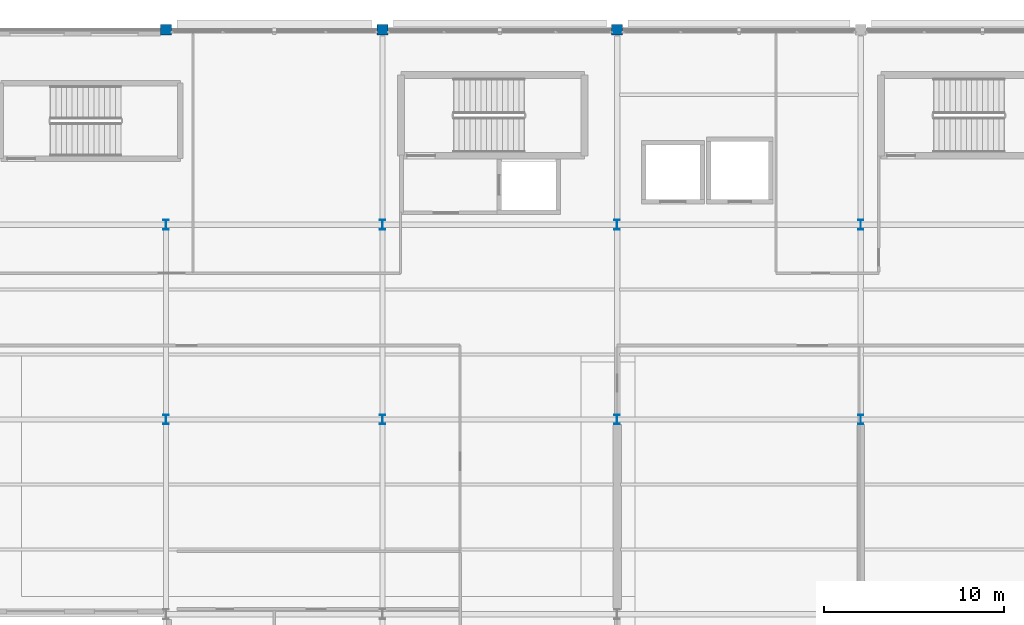
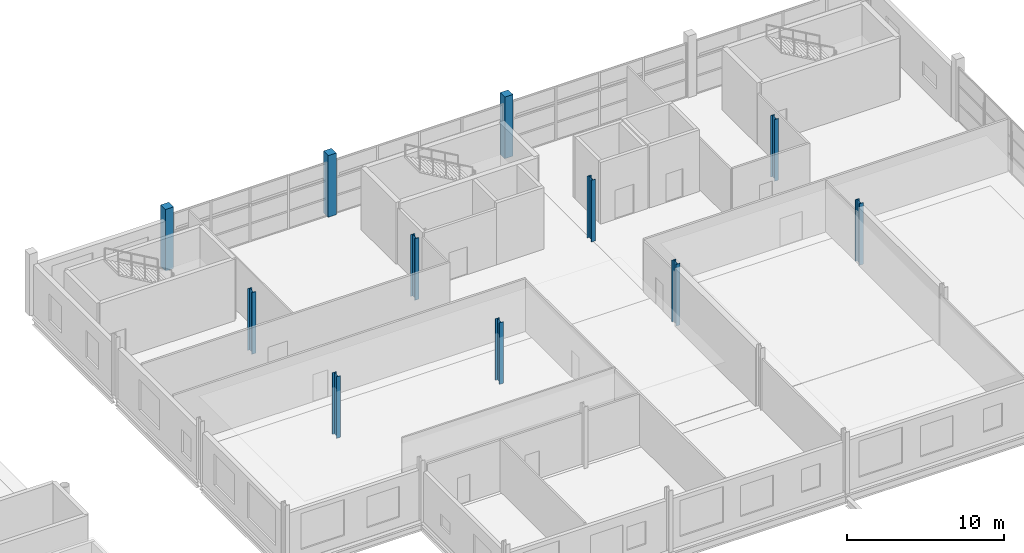
# One storey, part 19 of 134: 11 columns.
"""IFC4 building model written with IfcOpenShell, lengths in metres."""

from ifc_helpers import new_model, si_unit, direction, frame, origin, origin_2d, place, context, subcontext, project, spatial, rectangle, i_section, extrude, material, material_profile, profile_set, type_object, element, save


model = new_model("IFC4")

# Units and contexts
model_context = context("Model", 3, precision=1e-05, world=origin(), true_north=direction((0.0, 1.0)))
body_context = subcontext(model_context, "Body", "Model", "MODEL_VIEW")
ifc_project = project(units=[si_unit("LENGTHUNIT", "METRE"), si_unit("AREAUNIT", "SQUARE_METRE"), si_unit("VOLUMEUNIT", "CUBIC_METRE"), si_unit("PLANEANGLEUNIT", "RADIAN"), si_unit("MASSUNIT", "GRAM", prefix="KILO")], contexts=[model_context])

# Site, building, storey
site_placement = place(None, origin())
site = spatial("IfcSite", under=ifc_project, at=site_placement, CompositionType="ELEMENT")
building_placement = place(site_placement, origin())
building = spatial("IfcBuilding", under=site, at=building_placement, Name="Tamarisk Ironworks Central Station", CompositionType="ELEMENT")
storey_placement = place(building_placement, frame((0.0, 0.0, 12.60009765625)))
storey = spatial("IfcBuildingStorey", under=building, at=storey_placement, Name="L02", CompositionType="ELEMENT", Elevation=12.60009765625)

# Columns
ifc_material_1 = material(Name="Concrete C50/60", Category="concrete")
ifc_material_profile_1 = material_profile(ifc_material_1, rectangle(XDim=0.60009765625, YDim=0.60009765625, at=origin_2d()), Name="RC 600x600")
ifc_profile_set_1 = profile_set([ifc_material_profile_1], Name="Concrete C50/60")
column_type_1 = type_object("IfcColumnType", Name="COL-RC03", PredefinedType="COLUMN", material=ifc_profile_set_1)
for number, where, z_axis, x_axis, name in (
    (1, (128.0, 122.39990234375, 0.0), (0.0, 0.0, 1.0), (1.0, 0.0, 0.0), "L02 column V5-16N"),
    (2, (140.0, 122.39990234375, 0.0), (0.0, 0.0, 1.0), (1.0, 0.0, 0.0), "L02 column V5-17N"),
    (3, (153.0, 122.39990234375, 0.0), (0.0, 0.0, 1.0), (1.0, 0.0, 0.0), "L02 column V5-18N"),
):
    element("IfcColumn", number, at=place(storey_placement, frame(where, z_axis=z_axis, x_axis=x_axis)), inside=storey, type_object=column_type_1, Name=name, PredefinedType="COLUMN", context=body_context, shape_type="SweptSolid", body=[
        extrude(rectangle(XDim=0.60009765625, YDim=0.60009765625, at=origin_2d()), origin(), (0.0, 0.0, 1.0), 4.7998046875),
    ])
ifc_material_2 = material(Name="Structural steel S355J2", Category="steel")
ifc_material_profile_2 = material_profile(ifc_material_2, i_section(OverallWidth=0.300048828125, OverallDepth=0.550048828125, WebThickness=0.014892578125, FlangeThickness=0.029052734375, at=origin_2d()), Name="HEB 550")
ifc_profile_set_2 = profile_set([ifc_material_profile_2], Name="Structural steel S355J2")
column_type_2 = type_object("IfcColumnType", Name="COL-S06", PredefinedType="COLUMN", material=ifc_profile_set_2)
for number, where, z_axis, x_axis, name in (
    (4, (128.0, 100.800048828125, 0.0), (0.0, 0.0, 1.0), (1.0, 0.0, 0.0), "L02 column V5-16J"),
    (5, (128.0, 111.60009765625, 0.0), (0.0, 0.0, 1.0), (1.0, 0.0, 0.0), "L02 column V5-16L"),
    (6, (140.0, 100.800048828125, 0.0), (0.0, 0.0, 1.0), (1.0, 0.0, 0.0), "L02 column V5-17J"),
    (7, (140.0, 111.60009765625, 0.0), (0.0, 0.0, 1.0), (1.0, 0.0, 0.0), "L02 column V5-17L"),
    (8, (153.0, 100.800048828125, 0.0), (0.0, 0.0, 1.0), (1.0, 0.0, 0.0), "L02 column V5-18J"),
    (9, (153.0, 111.60009765625, 0.0), (0.0, 0.0, 1.0), (1.0, 0.0, 0.0), "L02 column V5-18L"),
    (10, (166.5, 100.800048828125, 0.0), (0.0, 0.0, 1.0), (1.0, 0.0, 0.0), "L02 column V5-19J"),
    (11, (166.5, 111.60009765625, 0.0), (0.0, 0.0, 1.0), (1.0, 0.0, 0.0), "L02 column V5-19L"),
):
    element("IfcColumn", number, at=place(storey_placement, frame(where, z_axis=z_axis, x_axis=x_axis)), inside=storey, type_object=column_type_2, Name=name, PredefinedType="COLUMN", context=body_context, shape_type="SweptSolid", body=[
        extrude(i_section(OverallWidth=0.300048828125, OverallDepth=0.550048828125, WebThickness=0.014892578125, FlangeThickness=0.029052734375, at=origin_2d()), origin(), (0.0, 0.0, 1.0), 4.7998046875),
    ])

save(model, "model.ifc")
